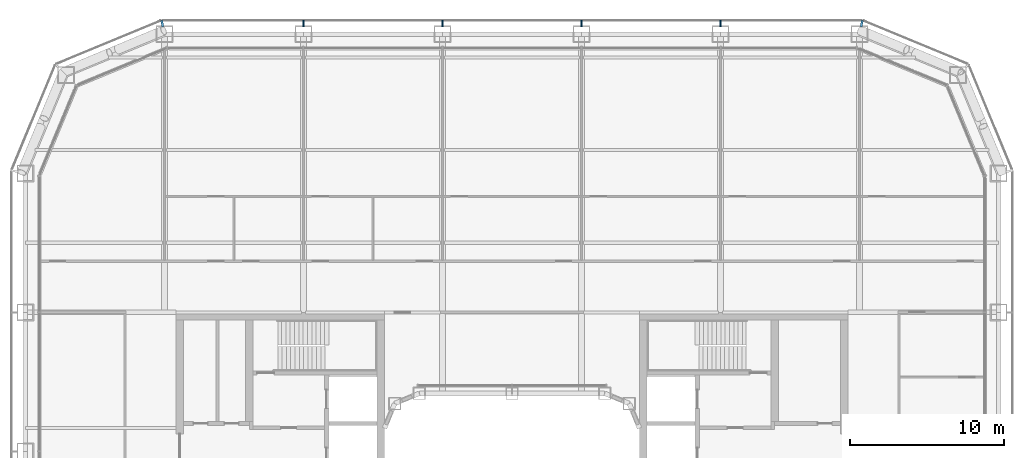
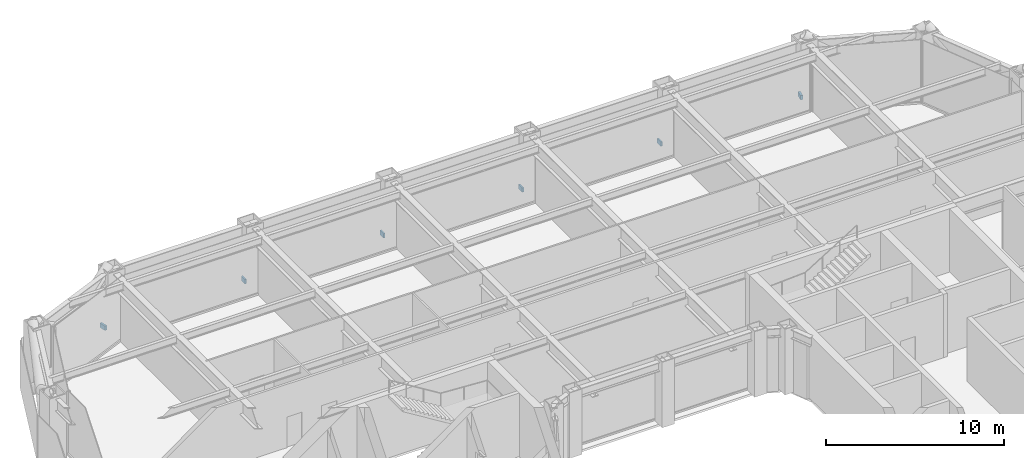
# One storey, part 19 of 24: 6 discrete accessories.
"""IFC4 building model written with IfcOpenShell, lengths in metres."""

from ifc_helpers import new_model, si_unit, direction, frame, origin, origin_2d, place, context, subcontext, project, spatial, rectangle, extrude, material, type_object, element, save


model = new_model("IFC4")

# Units and contexts
model_context = context("Model", 3, precision=1e-05, world=origin(), true_north=direction((0.0, 1.0)))
body_context = subcontext(model_context, "Body", "Model", "MODEL_VIEW")
ifc_project = project(units=[si_unit("LENGTHUNIT", "METRE"), si_unit("AREAUNIT", "SQUARE_METRE"), si_unit("VOLUMEUNIT", "CUBIC_METRE"), si_unit("PLANEANGLEUNIT", "RADIAN"), si_unit("MASSUNIT", "GRAM", prefix="KILO")], contexts=[model_context])

# Site, building, storey
site_placement = place(None, origin())
site = spatial("IfcSite", under=ifc_project, at=site_placement, CompositionType="ELEMENT")
building_placement = place(site_placement, origin())
building = spatial("IfcBuilding", under=site, at=building_placement, Name="Siwar Civic Tower", CompositionType="ELEMENT")
storey_placement = place(building_placement, frame((0.0, 0.0, 40.199951171875)))
storey = spatial("IfcBuildingStorey", under=building, at=storey_placement, Name="L08", CompositionType="ELEMENT", Elevation=40.199951171875)

# Discrete accessories
ifc_material = material(Name="Stainless steel 316", Category="steel")
discrete_accessory_type = type_object("IfcDiscreteAccessoryType", Name="ENV-BRACKET", PredefinedType="BRACKET", material=ifc_material)
for number, where, z_axis, x_axis, name in (
    (1, (13.5, 32.18994140625, -0.14990234375), (0.0, 0.0, 1.0), (0.0, 1.0, 0.0), "Bracket outer skin joint N-01"),
    (2, (4.5, 32.18994140625, -0.14990234375), (0.0, 0.0, 1.0), (0.0, 1.0, 0.0), "Bracket outer skin joint N-02"),
    (3, (-4.5, 32.18994140625, -0.14990234375), (0.0, 0.0, 1.0), (0.0, 1.0, 0.0), "Bracket outer skin joint N-03"),
    (4, (-13.5, 32.18994140625, -0.14990234375), (0.0, 0.0, 1.0), (0.0, 1.0, 0.0), "Bracket outer skin joint N-04"),
):
    element("IfcDiscreteAccessory", number, at=place(storey_placement, frame(where, z_axis=z_axis, x_axis=x_axis)), inside=storey, type_object=discrete_accessory_type, Name=name, PredefinedType="BRACKET", context=body_context, shape_type="SweptSolid", body=[
        extrude(rectangle(XDim=0.419921875, YDim=0.10009765625, at=origin_2d()), origin(), (0.0, 0.0, 1.0), 0.300048828125),
    ])
for number, where, z_axis, x_axis, name in (
    (5, (22.63720703125, 32.190185546875, -0.14990234375), (0.0, 0.0, 1.0), (0.195090322016, 0.980785280403, 0.0), "Bracket outer skin joint V06"),
    (6, (-22.63720703125, 32.190185546875, -0.14990234375), (0.0, 0.0, 1.0), (-0.195090322016, 0.980785280403, 0.0), "Bracket outer skin joint V07"),
):
    element("IfcDiscreteAccessory", number, at=place(storey_placement, frame(where, z_axis=z_axis, x_axis=x_axis)), inside=storey, type_object=discrete_accessory_type, Name=name, PredefinedType="BRACKET", context=body_context, shape_type="SweptSolid", body=[
        extrude(rectangle(XDim=0.427734375, YDim=0.13720703125, at=origin_2d()), origin(), (0.0, 0.0, 1.0), 0.300048828125),
    ])

save(model, "model.ifc")
